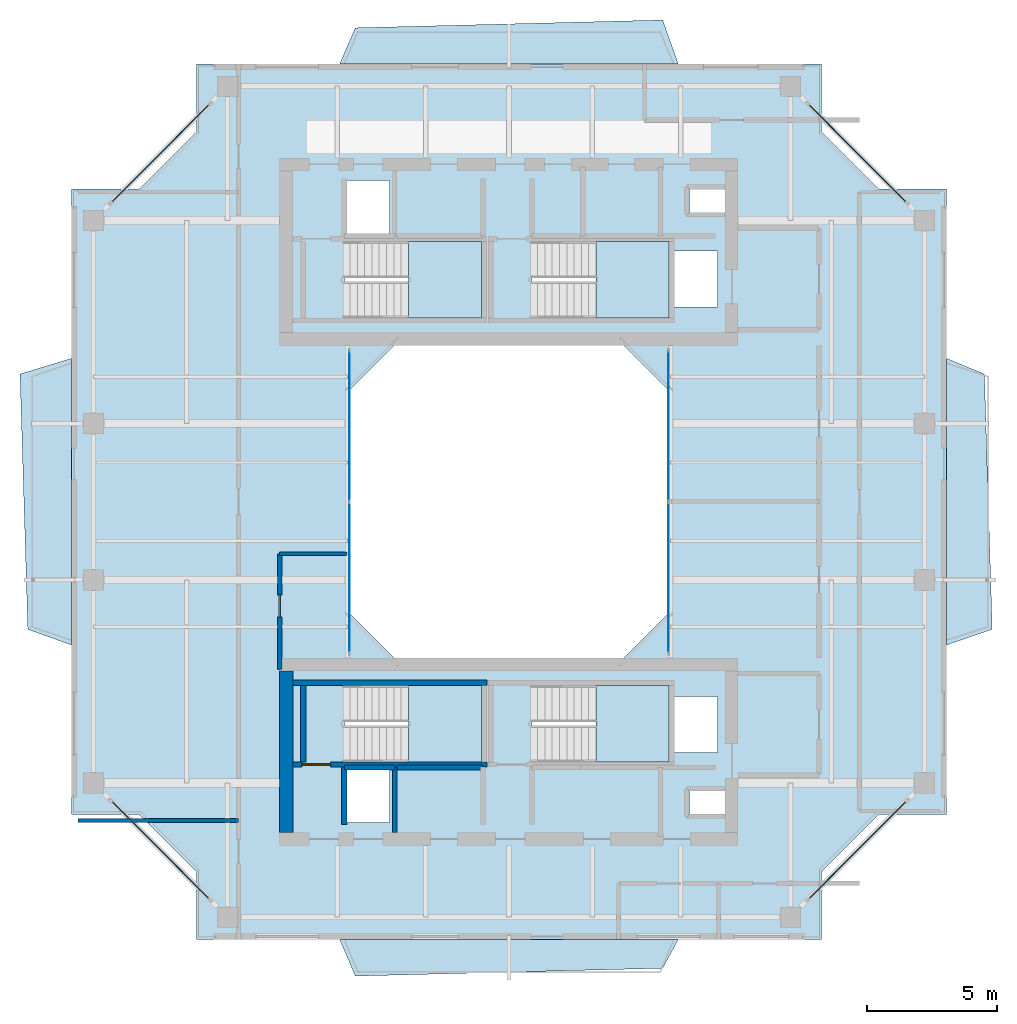
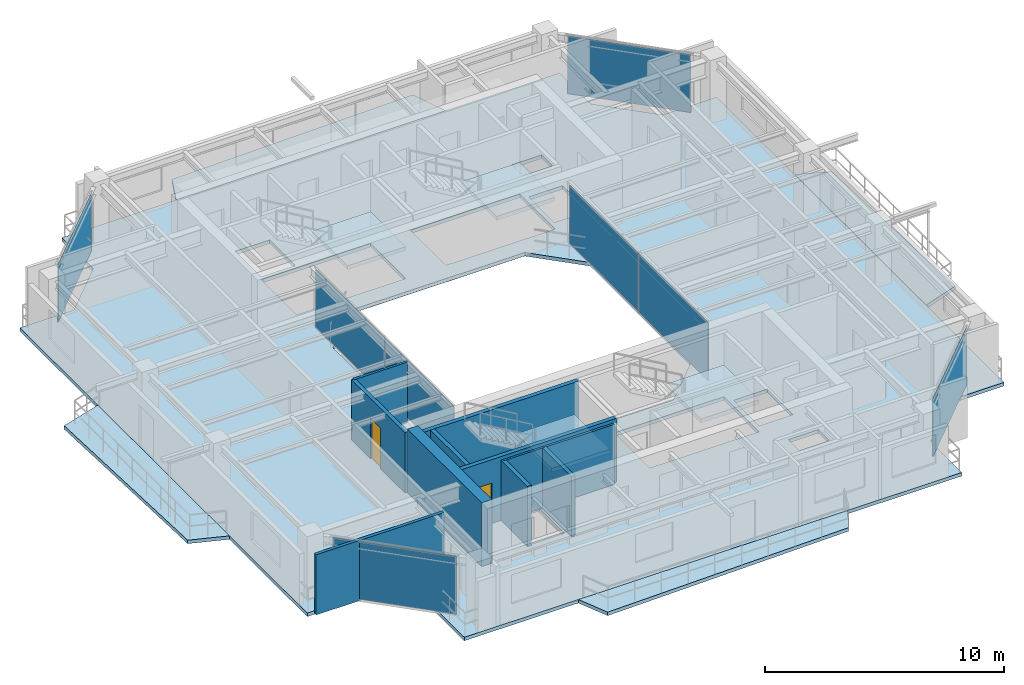
# One storey, part 9 of 15: 11 walls, 9 slabs, 8 plates, 2 doors, 2 openings, 10 elements without a shape of their own.
"""IFC4 building model written with IfcOpenShell, lengths in metres."""

from ifc_helpers import new_model, si_unit, direction, frame, frame_2d, origin, origin_2d, place, context, subcontext, project, spatial, polyline, rectangle, outline, extrude, source, transform, mapped, material, layer, layer_set, type_object, element, fill, aggregate, save


model = new_model("IFC4")

# Units and contexts
model_context = context("Model", 3, precision=1e-05, world=origin(), true_north=direction((0.0, 1.0)))
body_context = subcontext(model_context, "Body", "Model", "MODEL_VIEW")
ifc_project = project(units=[si_unit("LENGTHUNIT", "METRE"), si_unit("AREAUNIT", "SQUARE_METRE"), si_unit("VOLUMEUNIT", "CUBIC_METRE"), si_unit("PLANEANGLEUNIT", "RADIAN"), si_unit("MASSUNIT", "GRAM", prefix="KILO"), si_unit("THERMODYNAMICTEMPERATUREUNIT", "KELVIN"), si_unit("POWERUNIT", "WATT")], contexts=[model_context])

# Site, building, storey
site_placement = place(None, origin())
site = spatial("IfcSite", under=ifc_project, at=site_placement, CompositionType="ELEMENT")
building_placement = place(site_placement, origin())
building = spatial("IfcBuilding", under=site, at=building_placement, Name="Qiaomeng Ring Towers", CompositionType="ELEMENT")
storey_placement = place(building_placement, frame((0.0, 0.0, 226.25)))
storey = spatial("IfcBuildingStorey", under=building, at=storey_placement, Name="L66", CompositionType="ELEMENT", Elevation=226.25)

# Slabs
ifc_material_1 = material(Name="Concrete C40", Category="concrete")
ifc_layer_1 = layer(ifc_material_1, 0.179931640625, Name="Concrete C40")
ifc_layer_set_1 = layer_set([ifc_layer_1], Name="Concrete C40")
slab_type_1 = type_object("IfcSlabType", Name="STR-SL-180", PredefinedType="FLOOR", material=ifc_layer_set_1)
slab_1_placement = place(storey_placement, frame((0.0, 0.0, -0.179931640625)))
element("IfcSlab", 1, at=slab_1_placement, inside=storey, type_object=slab_type_1, Name="L66 Tower 1 Annular Floor Slab", PredefinedType="FLOOR", context=body_context, shape_type="SweptSolid", body=[
    extrude(outline(polyline([(7.0, 6.199951171875), (31.0, 6.199951171875), (31.0, 8.800048828125), (33.199951171875, 11.0), (35.800048828125, 11.0), (35.800048828125, 35.0), (33.199951171875, 35.0), (31.0, 37.199951171875), (31.0, 39.800048828125), (7.0, 39.800048828125), (7.0, 37.199951171875), (4.800048828125, 35.0), (2.199951171875, 35.0), (2.199951171875, 11.0), (4.800048828125, 11.0), (7.0, 8.800048828125), (7.0, 6.199951171875)]), holes=[polyline([(12.780029296875, 10.679931640625), (12.780029296875, 12.820068359375), (14.419921875, 12.820068359375), (14.419921875, 10.679931640625), (12.780029296875, 10.679931640625)]), polyline([(12.679931640625, 13.010009765625), (12.679931640625, 15.949951171875), (17.949951171875, 15.949951171875), (17.949951171875, 13.010009765625), (12.679931640625, 13.010009765625)]), polyline([(23.199951171875, 29.199951171875), (25.199951171875, 27.199951171875), (25.199951171875, 18.800048828125), (23.199951171875, 16.800048828125), (14.800048828125, 16.800048828125), (12.800048828125, 18.800048828125), (12.800048828125, 27.199951171875), (14.800048828125, 29.199951171875), (23.199951171875, 29.199951171875)]), polyline([(12.679931640625, 32.989990234375), (17.949951171875, 32.989990234375), (17.949951171875, 30.050048828125), (12.679931640625, 30.050048828125), (12.679931640625, 32.989990234375)]), polyline([(19.8798828125, 32.989990234375), (25.14990234375, 32.989990234375), (25.14990234375, 30.050048828125), (19.8798828125, 30.050048828125), (19.8798828125, 32.989990234375)]), polyline([(12.780029296875, 33.179931640625), (12.780029296875, 35.320068359375), (14.419921875, 35.320068359375), (14.419921875, 33.179931640625), (12.780029296875, 33.179931640625)]), polyline([(25.919921875, 11.89990234375), (27.360107421875, 11.89990234375), (27.360107421875, 11.0), (25.919921875, 11.0), (25.919921875, 11.89990234375)]), polyline([(25.360107421875, 15.52001953125), (27.0, 15.52001953125), (27.0, 13.3798828125), (25.360107421875, 13.3798828125), (25.360107421875, 15.52001953125)]), polyline([(19.8798828125, 13.010009765625), (19.8798828125, 15.949951171875), (25.14990234375, 15.949951171875), (25.14990234375, 13.010009765625), (19.8798828125, 13.010009765625)]), polyline([(25.360107421875, 32.6201171875), (27.0, 32.6201171875), (27.0, 30.47998046875), (25.360107421875, 30.47998046875), (25.360107421875, 32.6201171875)]), polyline([(25.919921875, 35.0), (27.360107421875, 35.0), (27.360107421875, 34.10009765625), (25.919921875, 34.10009765625), (25.919921875, 35.0)])]), origin(), (0.0, 0.0, 1.0), 0.179931640625),
])
ifc_layer_2 = layer(ifc_material_1, 0.179931640625, Name="Concrete C40")
ifc_layer_set_2 = layer_set([ifc_layer_2], Name="Concrete C40")
slab_type_2 = type_object("IfcSlabType", Name="STR-SL-BAL", PredefinedType="FLOOR", material=ifc_layer_set_2)
slab_2_placement = place(storey_placement, frame((0.0, 0.0, -0.179931640625)))
element("IfcSlab", 2, at=slab_2_placement, inside=storey, type_object=slab_type_2, Name="L66 Tower 1 S Faceted Balcony Slab", PredefinedType="FLOOR", context=body_context, shape_type="SweptSolid", body=[
    extrude(outline(polyline([(25.5, 6.199951171875), (24.89990234375, 5.090087890625), (13.10009765625, 4.7900390625), (12.5, 6.199951171875), (25.5, 6.199951171875)])), origin(), (0.0, 0.0, 1.0), 0.179931640625),
])
slab_3_placement = place(storey_placement, frame((0.0, 0.0, -0.179931640625)))
element("IfcSlab", 3, at=slab_3_placement, inside=storey, type_object=slab_type_2, Name="L66 Tower 1 E Faceted Balcony Slab", PredefinedType="FLOOR", context=body_context, shape_type="SweptSolid", body=[
    extrude(outline(polyline([(37.25, 27.89990234375), (37.550048828125, 18.10009765625), (35.800048828125, 17.5), (35.800048828125, 28.5), (37.25, 27.89990234375)])), origin(), (0.0, 0.0, 1.0), 0.179931640625),
])
slab_4_placement = place(storey_placement, frame((0.0, 0.0, -0.179931640625)))
element("IfcSlab", 4, at=slab_4_placement, inside=storey, type_object=slab_type_2, Name="L66 Tower 1 N Faceted Balcony Slab", PredefinedType="FLOOR", context=body_context, shape_type="SweptSolid", body=[
    extrude(outline(polyline([(12.5, 39.800048828125), (13.10009765625, 41.18994140625), (24.89990234375, 41.489990234375), (25.5, 39.800048828125), (12.5, 39.800048828125)])), origin(), (0.0, 0.0, 1.0), 0.179931640625),
])
slab_5_placement = place(storey_placement, frame((0.0, 0.0, -0.179931640625)))
element("IfcSlab", 5, at=slab_5_placement, inside=storey, type_object=slab_type_2, Name="L66 Tower 1 W Faceted Balcony Slab", PredefinedType="FLOOR", context=body_context, shape_type="SweptSolid", body=[
    extrude(outline(polyline([(0.530029296875, 18.10009765625), (0.22998046875, 27.89990234375), (2.199951171875, 28.5), (2.199951171875, 17.5), (0.530029296875, 18.10009765625)])), origin(), (0.0, 0.0, 1.0), 0.179931640625),
])

# Stair, slab
ifc_material_2 = material(Name="Precast concrete C40", Category="concrete")
stair_type = type_object("IfcStairType", Name="ARC-ST-325", PredefinedType="HALF_TURN_STAIR", material=ifc_material_2)
stair_1_placement = place(storey_placement, origin())
stair_1 = element("IfcStair", 6, at=stair_1_placement, inside=storey, type_object=stair_type, Name="L66 Tower 1 North Stair 1", PredefinedType="HALF_TURN_STAIR")
ifc_layer_3 = layer(ifc_material_1, 0.199951171875, Name="Concrete C40")
ifc_layer_set_3 = layer_set([ifc_layer_3], Name="Concrete C40")
slab_type_3 = type_object("IfcSlabType", Name="STR-SL-LANDING", PredefinedType="LANDING", material=ifc_layer_set_3)
slab_6_placement = place(storey_placement, frame((0.0, 0.0, 1.425048828125)))
slab_6 = element("IfcSlab", 7, at=slab_6_placement, type_object=slab_type_3, Name="ST1 landing 1", PredefinedType="LANDING", context=body_context, shape_type="SweptSolid", body=[
    extrude(outline(polyline([(15.139892578125, 30.050048828125), (17.949951171875, 30.050048828125), (17.949951171875, 32.989990234375), (15.139892578125, 32.989990234375), (15.139892578125, 30.050048828125)])), origin(), (0.0, 0.0, 1.0), 0.199951171875),
])
aggregate(stair_1, [slab_6])

stair_2_placement = place(storey_placement, origin())
stair_2 = element("IfcStair", 8, at=stair_2_placement, inside=storey, type_object=stair_type, Name="L66 Tower 1 North Stair 2", PredefinedType="HALF_TURN_STAIR")
slab_7_placement = place(storey_placement, frame((0.0, 0.0, 1.425048828125)))
slab_7 = element("IfcSlab", 9, at=slab_7_placement, type_object=slab_type_3, Name="ST2 landing 1", PredefinedType="LANDING", context=body_context, shape_type="SweptSolid", body=[
    extrude(outline(polyline([(22.340087890625, 30.050048828125), (25.14990234375, 30.050048828125), (25.14990234375, 32.989990234375), (22.340087890625, 32.989990234375), (22.340087890625, 30.050048828125)])), origin(), (0.0, 0.0, 1.0), 0.199951171875),
])
aggregate(stair_2, [slab_7])

stair_3_placement = place(storey_placement, origin())
stair_3 = element("IfcStair", 10, at=stair_3_placement, inside=storey, type_object=stair_type, Name="L66 Tower 1 South Stair 3", PredefinedType="HALF_TURN_STAIR")
slab_8_placement = place(storey_placement, frame((0.0, 0.0, 1.425048828125)))
slab_8 = element("IfcSlab", 11, at=slab_8_placement, type_object=slab_type_3, Name="ST3 landing 1", PredefinedType="LANDING", context=body_context, shape_type="SweptSolid", body=[
    extrude(outline(polyline([(15.139892578125, 13.010009765625), (17.949951171875, 13.010009765625), (17.949951171875, 15.949951171875), (15.139892578125, 15.949951171875), (15.139892578125, 13.010009765625)])), origin(), (0.0, 0.0, 1.0), 0.199951171875),
])
aggregate(stair_3, [slab_8])

stair_4_placement = place(storey_placement, origin())
stair_4 = element("IfcStair", 12, at=stair_4_placement, inside=storey, type_object=stair_type, Name="L66 Tower 1 South Stair 4", PredefinedType="HALF_TURN_STAIR")
slab_9_placement = place(storey_placement, frame((0.0, 0.0, 1.425048828125)))
slab_9 = element("IfcSlab", 13, at=slab_9_placement, type_object=slab_type_3, Name="ST4 landing 1", PredefinedType="LANDING", context=body_context, shape_type="SweptSolid", body=[
    extrude(outline(polyline([(22.340087890625, 13.010009765625), (25.14990234375, 13.010009765625), (25.14990234375, 15.949951171875), (22.340087890625, 15.949951171875), (22.340087890625, 13.010009765625)])), origin(), (0.0, 0.0, 1.0), 0.199951171875),
])
aggregate(stair_4, [slab_9])

# Curtain wall, plates
ifc_material_3 = material(Name="Fluorocarbon dark-grey aluminium", Category="aluminium")
ifc_layer_4 = layer(ifc_material_3, 0.139892578125, Name="Fluorocarbon dark-grey aluminium")
ifc_layer_set_4 = layer_set([ifc_layer_4], Name="Fluorocarbon dark-grey aluminium")
curtain_wall_type_1 = type_object("IfcCurtainWallType", Name="ARC-CW-4", PredefinedType="NOTDEFINED", material=ifc_layer_set_4)
curtain_wall_1_placement = place(storey_placement, origin())
curtain_wall_1 = element("IfcCurtainWall", 14, at=curtain_wall_1_placement, inside=storey, type_object=curtain_wall_type_1, Name="L66 Curtain Wall CW4", PredefinedType="NOTDEFINED")
ifc_material_4 = material(Name="Low-E dark-grey laminated double glazing", Category="glass")
ifc_layer_5 = layer(ifc_material_4, 0.028076171875, Name="Low-E dark-grey laminated double glazing")
ifc_layer_set_5 = layer_set([ifc_layer_5], Name="Low-E dark-grey laminated double glazing")
plate_type = type_object("IfcPlateType", Name="ARC-CWP-DARK", PredefinedType="CURTAIN_PANEL", material=ifc_layer_set_5)
shared_shape_1 = source(origin(), body_context, "Body", "SweptSolid", [
    extrude(rectangle(XDim=5.75244140625, YDim=0.028076171875, at=origin_2d()), origin(), (0.0, 0.0, 1.0), 2.93994140625),
])
plate_1_placement = place(storey_placement, frame((12.8798828125, 20.09130859375, 0.06494140625), z_axis=(0.0, 0.0, 1.0), x_axis=(0.0, 1.0, 0.0)))
plate_1 = element("IfcPlate", 15, at=plate_1_placement, type_object=plate_type, Name="CW4 panel 1.1", PredefinedType="CURTAIN_PANEL", context=body_context, shape_type="MappedRepresentation", body=[
    mapped(shared_shape_1, transform((0.0, 0.0, 0.0), x_axis=(1.0, 0.0, 0.0), y_axis=(0.0, 1.0, 0.0), z_axis=(0.0, 0.0, 1.0), scale=1.0)),
])
plate_2_placement = place(storey_placement, frame((12.8798828125, 25.90869140625, 0.06494140625), z_axis=(0.0, 0.0, 1.0), x_axis=(0.0, 1.0, 0.0)))
plate_2 = element("IfcPlate", 16, at=plate_2_placement, type_object=plate_type, Name="CW4 panel 2.1", PredefinedType="CURTAIN_PANEL", context=body_context, shape_type="MappedRepresentation", body=[
    mapped(shared_shape_1, transform((0.0, 0.0, 0.0), x_axis=(1.0, 0.0, 0.0), y_axis=(0.0, 1.0, 0.0), z_axis=(0.0, 0.0, 1.0), scale=1.0)),
])
aggregate(curtain_wall_1, [plate_1, plate_2])

curtain_wall_2_placement = place(storey_placement, origin())
curtain_wall_2 = element("IfcCurtainWall", 17, at=curtain_wall_2_placement, inside=storey, type_object=curtain_wall_type_1, Name="L66 Curtain Wall CW4", PredefinedType="NOTDEFINED")
plate_3_placement = place(storey_placement, frame((25.1201171875, 20.09130859375, 0.06494140625), z_axis=(0.0, 0.0, 1.0), x_axis=(0.0, 1.0, 0.0)))
plate_3 = element("IfcPlate", 18, at=plate_3_placement, type_object=plate_type, Name="CW4 panel 1.1", PredefinedType="CURTAIN_PANEL", context=body_context, shape_type="MappedRepresentation", body=[
    mapped(shared_shape_1, transform((0.0, 0.0, 0.0), x_axis=(1.0, 0.0, 0.0), y_axis=(0.0, 1.0, 0.0), z_axis=(0.0, 0.0, 1.0), scale=1.0)),
])
plate_4_placement = place(storey_placement, frame((25.1201171875, 25.90869140625, 0.06494140625), z_axis=(0.0, 0.0, 1.0), x_axis=(0.0, 1.0, 0.0)))
plate_4 = element("IfcPlate", 19, at=plate_4_placement, type_object=plate_type, Name="CW4 panel 2.1", PredefinedType="CURTAIN_PANEL", context=body_context, shape_type="MappedRepresentation", body=[
    mapped(shared_shape_1, transform((0.0, 0.0, 0.0), x_axis=(1.0, 0.0, 0.0), y_axis=(0.0, 1.0, 0.0), z_axis=(0.0, 0.0, 1.0), scale=1.0)),
])
aggregate(curtain_wall_2, [plate_3, plate_4])

# Curtain wall, plate
ifc_layer_6 = layer(ifc_material_3, 0.14990234375, Name="Fluorocarbon dark-grey aluminium")
ifc_layer_set_6 = layer_set([ifc_layer_6], Name="Fluorocarbon dark-grey aluminium")
curtain_wall_type_2 = type_object("IfcCurtainWallType", Name="ARC-CW-3", PredefinedType="NOTDEFINED", material=ifc_layer_set_6)
curtain_wall_3_placement = place(storey_placement, origin())
curtain_wall_3 = element("IfcCurtainWall", 20, at=curtain_wall_3_placement, inside=storey, type_object=curtain_wall_type_2, Name="L66 Curtain Wall CW3", PredefinedType="NOTDEFINED")
shared_shape_2 = source(origin(), body_context, "Body", "SweptSolid", [
    extrude(rectangle(XDim=5.3330078125, YDim=0.028076171875, at=origin_2d()), origin(), (0.0, 0.0, 1.0), 2.93994140625),
])
plate_5_placement = place(storey_placement, frame((32.375, 9.625, 0.06494140625), z_axis=(0.0, 0.0, 1.0), x_axis=(0.707106781187, 0.707106781187, 0.0)))
plate_5 = element("IfcPlate", 21, at=plate_5_placement, type_object=plate_type, Name="CW3 panel 1.1", PredefinedType="CURTAIN_PANEL", context=body_context, shape_type="MappedRepresentation", body=[
    mapped(shared_shape_2, transform((0.0, 0.0, 0.0), x_axis=(1.0, 0.0, 0.0), y_axis=(0.0, 1.0, 0.0), z_axis=(0.0, 0.0, 1.0), scale=1.0)),
])
aggregate(curtain_wall_3, [plate_5])

curtain_wall_4_placement = place(storey_placement, origin())
curtain_wall_4 = element("IfcCurtainWall", 22, at=curtain_wall_4_placement, inside=storey, type_object=curtain_wall_type_2, Name="L66 Curtain Wall CW3", PredefinedType="NOTDEFINED")
plate_6_placement = place(storey_placement, frame((32.375, 36.375, 0.06494140625), z_axis=(0.0, 0.0, 1.0), x_axis=(-0.707106781187, 0.707106781187, 0.0)))
plate_6 = element("IfcPlate", 23, at=plate_6_placement, type_object=plate_type, Name="CW3 panel 1.1", PredefinedType="CURTAIN_PANEL", context=body_context, shape_type="MappedRepresentation", body=[
    mapped(shared_shape_2, transform((0.0, 0.0, 0.0), x_axis=(1.0, 0.0, 0.0), y_axis=(0.0, 1.0, 0.0), z_axis=(0.0, 0.0, 1.0), scale=1.0)),
])
aggregate(curtain_wall_4, [plate_6])

curtain_wall_5_placement = place(storey_placement, origin())
curtain_wall_5 = element("IfcCurtainWall", 24, at=curtain_wall_5_placement, inside=storey, type_object=curtain_wall_type_2, Name="L66 Curtain Wall CW3", PredefinedType="NOTDEFINED")
plate_7_placement = place(storey_placement, frame((5.625, 36.375, 0.06494140625), z_axis=(0.0, 0.0, 1.0), x_axis=(-0.707106781187, -0.707106781187, 0.0)))
plate_7 = element("IfcPlate", 25, at=plate_7_placement, type_object=plate_type, Name="CW3 panel 1.1", PredefinedType="CURTAIN_PANEL", context=body_context, shape_type="MappedRepresentation", body=[
    mapped(shared_shape_2, transform((0.0, 0.0, 0.0), x_axis=(1.0, 0.0, 0.0), y_axis=(0.0, 1.0, 0.0), z_axis=(0.0, 0.0, 1.0), scale=1.0)),
])
aggregate(curtain_wall_5, [plate_7])

curtain_wall_6_placement = place(storey_placement, origin())
curtain_wall_6 = element("IfcCurtainWall", 26, at=curtain_wall_6_placement, inside=storey, type_object=curtain_wall_type_2, Name="L66 Curtain Wall CW3", PredefinedType="NOTDEFINED")
plate_8_placement = place(storey_placement, frame((5.625, 9.625, 0.06494140625), z_axis=(0.0, 0.0, 1.0), x_axis=(0.707106781187, -0.707106781187, 0.0)))
plate_8 = element("IfcPlate", 27, at=plate_8_placement, type_object=plate_type, Name="CW3 panel 1.1", PredefinedType="CURTAIN_PANEL", context=body_context, shape_type="MappedRepresentation", body=[
    mapped(shared_shape_2, transform((0.0, 0.0, 0.0), x_axis=(1.0, 0.0, 0.0), y_axis=(0.0, 1.0, 0.0), z_axis=(0.0, 0.0, 1.0), scale=1.0)),
])
aggregate(curtain_wall_6, [plate_8])

# Walls
ifc_material_5 = material(Name="Autoclaved aerated concrete block", Category="concrete")
ifc_layer_7 = layer(ifc_material_5, 0.199951171875, Name="Autoclaved aerated concrete block")
ifc_layer_set_7 = layer_set([ifc_layer_7], Name="Autoclaved aerated concrete block")
wall_type_1 = type_object("IfcWallType", Name="ARC-WL-PW1", PredefinedType="PARTITIONING", material=ifc_layer_set_7)
wall_1_placement = place(storey_placement, frame((12.679931640625, 10.60009765625, 0.0), z_axis=(0.0, 0.0, 1.0), x_axis=(0.0, 1.0, 0.0)))
element("IfcWall", 28, at=wall_1_placement, inside=storey, type_object=wall_type_1, Name="L66 Interior Wall PW1", PredefinedType="PARTITIONING", context=body_context, shape_type="SweptSolid", body=[
    extrude(rectangle(XDim=2.2099609375, YDim=0.199951171875, at=frame_2d((1.10498046875, 0.0))), origin(), (0.0, 0.0, 1.0), 3.070068359375),
])
wall_2_placement = place(storey_placement, frame((14.719970703125, 12.800048828125, 0.0), z_axis=(0.0, 0.0, 1.0), x_axis=(1.0, 0.0, 0.0)))
element("IfcWall", 29, at=wall_2_placement, inside=storey, type_object=wall_type_1, Name="L66 Interior Wall PW1", PredefinedType="PARTITIONING", context=body_context, shape_type="SweptSolid", body=[
    extrude(rectangle(XDim=3.280029296875, YDim=0.199951171875, at=frame_2d((1.64013671875, 0.0))), origin(), (0.0, 0.0, 1.0), 3.070068359375),
])

# Wall, opening, door
ifc_layer_8 = layer(ifc_material_5, 0.179931640625, Name="Autoclaved aerated concrete block")
ifc_layer_set_8 = layer_set([ifc_layer_8], Name="Autoclaved aerated concrete block")
wall_type_2 = type_object("IfcWallType", Name="ARC-WL-PW2", PredefinedType="PARTITIONING", material=ifc_layer_set_8)
wall_3_placement = place(storey_placement, frame((10.199951171875, 16.550048828125, 0.0), z_axis=(0.0, 0.0, 1.0), x_axis=(0.0, 1.0, 0.0)))
wall_3 = element("IfcWall", 30, at=wall_3_placement, inside=storey, type_object=wall_type_2, Name="L66 Interior Wall PW2", PredefinedType="PARTITIONING", context=body_context, shape_type="SweptSolid", body=[
    extrude(rectangle(XDim=4.449951171875, YDim=0.179931640625, at=frame_2d((2.22509765625, 0.0))), origin(), (0.0, 0.0, 1.0), 3.070068359375),
])
opening_1_placement = place(wall_3_placement, frame((2.02490234375, 0.0, 0.0)))
opening_1 = element("IfcOpeningElement", 31, at=opening_1_placement, cuts=wall_3, Name="Opening ID2", PredefinedType="OPENING", context=body_context, shape_type="SweptSolid", body=[
    extrude(rectangle(XDim=0.85009765625, YDim=2.050048828125, at=frame_2d((0.425048828125, 1.02490234375))), frame((0.0, 0.099853515625, 0.0), z_axis=(0.0, -1.0, 0.0), x_axis=(1.0, 0.0, 0.0)), (0.0, 0.0, 1.0), 0.199951171875),
])
ifc_material_6 = material(Name="Moisture-resistant engineered timber", Category="wood")
door_type_1 = type_object("IfcDoorType", Name="ARC-DR-ID2", OperationType="NOTDEFINED", PredefinedType="DOOR", material=ifc_material_6)
shared_shape_3 = source(origin(), body_context, "Body", "SweptSolid", [
    extrude(rectangle(XDim=0.85009765625, YDim=2.050048828125, at=frame_2d((0.425048828125, 1.02490234375))), frame((0.0, 0.02490234375, 0.0), z_axis=(0.0, -1.0, 0.0), x_axis=(1.0, 0.0, 0.0)), (0.0, 0.0, 1.0), 0.050048828125),
])
door_1_placement = place(opening_1_placement, origin())
door_1 = element("IfcDoor", 32, at=door_1_placement, inside=storey, type_object=door_type_1, Name="L66 Door ID2", OperationType="SINGLE_SWING_RIGHT", OverallHeight=2.050048828125, OverallWidth=0.85009765625, PredefinedType="DOOR", context=body_context, shape_type="MappedRepresentation", body=[
    mapped(shared_shape_3, transform((0.0, 0.0, 0.0), x_axis=(1.0, 0.0, 0.0), y_axis=(0.0, 1.0, 0.0), z_axis=(0.0, 0.0, 1.0), scale=1.0)),
])
fill(opening_1, door_1)

# Walls
ifc_material_7 = material(Name="Gypsum fireboard steel-stud partition", Category="steel")
ifc_layer_9 = layer(ifc_material_7, 0.14990234375, Name="Gypsum fireboard steel-stud partition")
ifc_layer_set_9 = layer_set([ifc_layer_9], Name="Gypsum fireboard steel-stud partition")
wall_type_3 = type_object("IfcWallType", Name="ARC-WL-PW3", PredefinedType="PARTITIONING", material=ifc_layer_set_9)
wall_4_placement = place(storey_placement, frame((2.449951171875, 10.77001953125, 0.0), z_axis=(0.0, 0.0, 1.0), x_axis=(1.0, 0.0, 0.0)))
element("IfcWall", 33, at=wall_4_placement, inside=storey, type_object=wall_type_3, Name="L66 Interior Wall PW3", PredefinedType="PARTITIONING", context=body_context, shape_type="SweptSolid", body=[
    extrude(rectangle(XDim=6.170166015625, YDim=0.14990234375, at=frame_2d((3.0849609375, 0.0))), origin(), (0.0, 0.0, 1.0), 3.070068359375),
])
ifc_material_8 = material(Name="Moisture-resistant gypsum steel-stud partition", Category="steel")
ifc_layer_10 = layer(ifc_material_8, 0.1201171875, Name="Moisture-resistant gypsum steel-stud partition")
ifc_layer_set_10 = layer_set([ifc_layer_10], Name="Moisture-resistant gypsum steel-stud partition")
wall_type_4 = type_object("IfcWallType", Name="ARC-WL-PW4", PredefinedType="PLUMBINGWALL", material=ifc_layer_set_10)
wall_5_placement = place(storey_placement, frame((10.199951171875, 21.0, 0.0), z_axis=(0.0, 0.0, 1.0), x_axis=(1.0, 0.0, 0.0)))
element("IfcWall", 34, at=wall_5_placement, inside=storey, type_object=wall_type_4, Name="L66 Interior Wall PW4", PredefinedType="PLUMBINGWALL", context=body_context, shape_type="SweptSolid", body=[
    extrude(rectangle(XDim=2.580078125, YDim=0.1201171875, at=frame_2d((1.2900390625, 0.0))), origin(), (0.0, 0.0, 1.0), 3.070068359375),
])
ifc_layer_11 = layer(ifc_material_1, 0.199951171875, Name="Concrete C40")
ifc_layer_set_11 = layer_set([ifc_layer_11], Name="Concrete C40")
wall_type_5 = type_object("IfcWallType", Name="STR-WL-STSHAFT", PredefinedType="SHEAR", material=ifc_layer_set_11)
wall_6_placement = place(storey_placement, frame((12.679931640625, 12.800048828125, 0.0), z_axis=(0.0, 0.0, 1.0), x_axis=(1.0, 0.0, 0.0)))
element("IfcWall", 35, at=wall_6_placement, inside=storey, type_object=wall_type_5, Name="L66 Lift LP6 Shaft Back Wall", PredefinedType="SHEAR", context=body_context, shape_type="SweptSolid", body=[
    extrude(rectangle(XDim=1.940185546875, YDim=0.179931640625, at=frame_2d((0.97021484375, 0.0))), origin(), (0.0, 0.0, 1.0), 3.070068359375),
])
wall_7_placement = place(storey_placement, frame((14.6201171875, 10.300048828125, 0.0), z_axis=(0.0, 0.0, 1.0), x_axis=(0.0, 1.0, 0.0)))
element("IfcWall", 36, at=wall_7_placement, inside=storey, type_object=wall_type_5, Name="L66 Lift LP6-LP4 Shaft Divider Wall", PredefinedType="SHEAR", context=body_context, shape_type="SweptSolid", body=[
    extrude(rectangle(XDim=2.5, YDim=0.179931640625, at=frame_2d((1.25, 0.0))), origin(), (0.0, 0.0, 1.0), 3.070068359375),
])

# Wall, opening, door
wall_8_placement = place(storey_placement, frame((10.699951171875, 12.909912109375, 0.0), z_axis=(0.0, 0.0, 1.0), x_axis=(1.0, 0.0, 0.0)))
wall_8 = element("IfcWall", 37, at=wall_8_placement, inside=storey, type_object=wall_type_5, Name="L66 Stair ST3 South Shaft Shear Wall", PredefinedType="SHEAR", context=body_context, shape_type="SweptSolid", body=[
    extrude(rectangle(XDim=7.449951171875, YDim=0.199951171875, at=frame_2d((3.72509765625, 0.0))), origin(), (0.0, 0.0, 1.0), 3.25),
])
opening_2_placement = place(wall_8_placement, frame((0.35009765625, 0.0, 0.0)))
opening_2 = element("IfcOpeningElement", 38, at=opening_2_placement, cuts=wall_8, Name="Opening FD3", PredefinedType="OPENING", context=body_context, shape_type="SweptSolid", body=[
    extrude(rectangle(XDim=1.10009765625, YDim=2.050048828125, at=frame_2d((0.550048828125, 1.02490234375))), frame((0.0, 0.10986328125, 0.0), z_axis=(0.0, -1.0, 0.0), x_axis=(1.0, 0.0, 0.0)), (0.0, 0.0, 1.0), 0.219970703125),
])
ifc_material_9 = material(Name="Galvanised steel", Category="steel")
door_type_2 = type_object("IfcDoorType", Name="ARC-DR-FD3", OperationType="NOTDEFINED", PredefinedType="DOOR", material=ifc_material_9)
shared_shape_4 = source(origin(), body_context, "Body", "SweptSolid", [
    extrude(rectangle(XDim=1.10009765625, YDim=2.050048828125, at=frame_2d((0.550048828125, 1.02490234375))), frame((0.0, 0.02490234375, 0.0), z_axis=(0.0, -1.0, 0.0), x_axis=(1.0, 0.0, 0.0)), (0.0, 0.0, 1.0), 0.050048828125),
])
door_2_placement = place(opening_2_placement, frame((1.10009765625, 0.0, 0.0), z_axis=(0.0, 0.0, 1.0), x_axis=(-1.0, 0.0, 0.0)))
door_2 = element("IfcDoor", 39, at=door_2_placement, inside=storey, type_object=door_type_2, Name="L66 Stair ST3 Exit Door", OperationType="SINGLE_SWING_RIGHT", OverallHeight=2.050048828125, OverallWidth=1.10009765625, PredefinedType="DOOR", context=body_context, shape_type="MappedRepresentation", body=[
    mapped(shared_shape_4, transform((0.0, 0.0, 0.0), x_axis=(1.0, 0.0, 0.0), y_axis=(0.0, 1.0, 0.0), z_axis=(0.0, 0.0, 1.0), scale=1.0)),
])
fill(opening_2, door_2)

# Walls
wall_9_placement = place(storey_placement, frame((10.699951171875, 16.050048828125, 0.0), z_axis=(0.0, 0.0, 1.0), x_axis=(1.0, 0.0, 0.0)))
element("IfcWall", 40, at=wall_9_placement, inside=storey, type_object=wall_type_5, Name="L66 Stair ST3 North Shaft Shear Wall", PredefinedType="SHEAR", context=body_context, shape_type="SweptSolid", body=[
    extrude(rectangle(XDim=7.449951171875, YDim=0.199951171875, at=frame_2d((3.72509765625, 0.0))), origin(), (0.0, 0.0, 1.0), 3.25),
])
wall_10_placement = place(storey_placement, frame((11.10009765625, 13.010009765625, 0.0), z_axis=(0.0, 0.0, 1.0), x_axis=(0.0, 1.0, 0.0)))
element("IfcWall", 41, at=wall_10_placement, inside=storey, type_object=wall_type_5, Name="L66 Stair ST3 West Shaft Shear Wall", PredefinedType="SHEAR", context=body_context, shape_type="SweptSolid", body=[
    extrude(rectangle(XDim=2.93994140625, YDim=0.199951171875, at=frame_2d((1.469970703125, 0.0))), origin(), (0.0, 0.0, 1.0), 3.25),
])
ifc_layer_12 = layer(ifc_material_1, 0.5, Name="Concrete C40")
ifc_layer_set_12 = layer_set([ifc_layer_12], Name="Concrete C40")
wall_type_6 = type_object("IfcWallType", Name="STR-WL-SW3", PredefinedType="SHEAR", material=ifc_layer_set_12)
wall_11_placement = place(storey_placement, frame((10.449951171875, 10.300048828125, 0.0), z_axis=(0.0, 0.0, 1.0), x_axis=(0.0, 1.0, 0.0)))
element("IfcWall", 42, at=wall_11_placement, inside=storey, type_object=wall_type_6, Name="L66 T1SC west core shear wall", PredefinedType="SHEAR", context=body_context, shape_type="SweptSolid", body=[
    extrude(rectangle(XDim=6.199951171875, YDim=0.5, at=frame_2d((3.10009765625, 0.0))), origin(), (0.0, 0.0, 1.0), 3.25),
])

save(model, "model.ifc")
